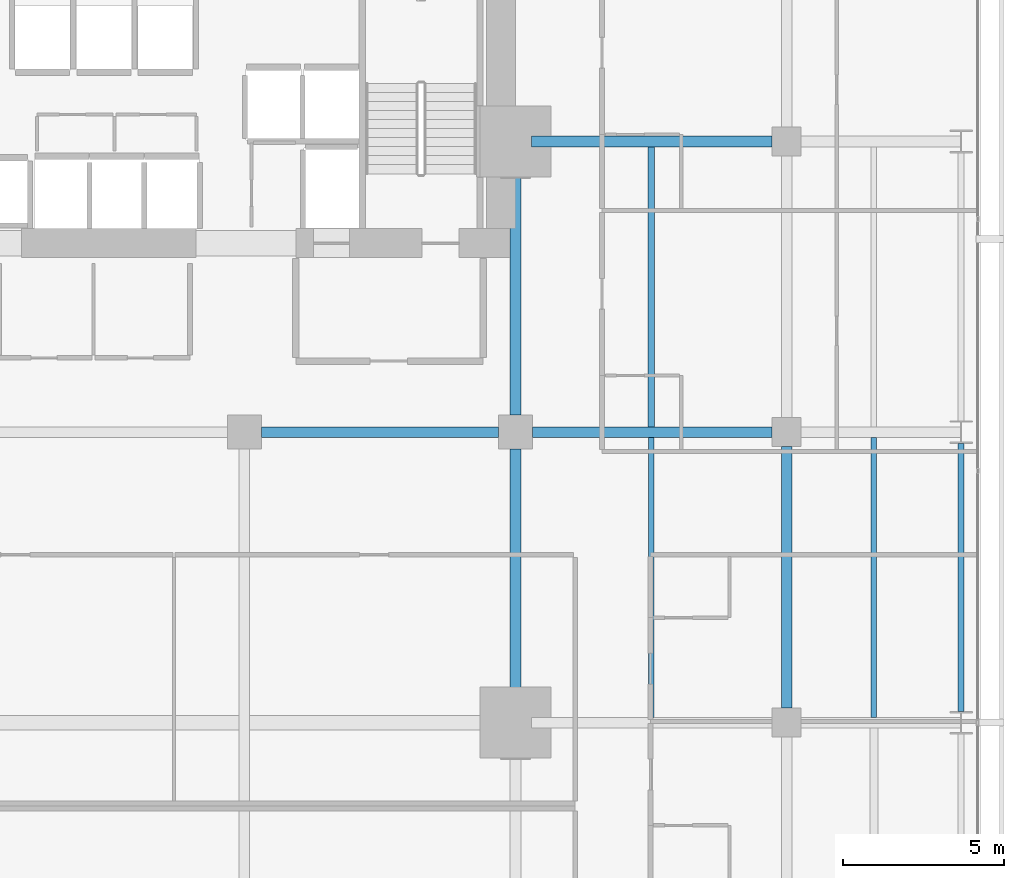
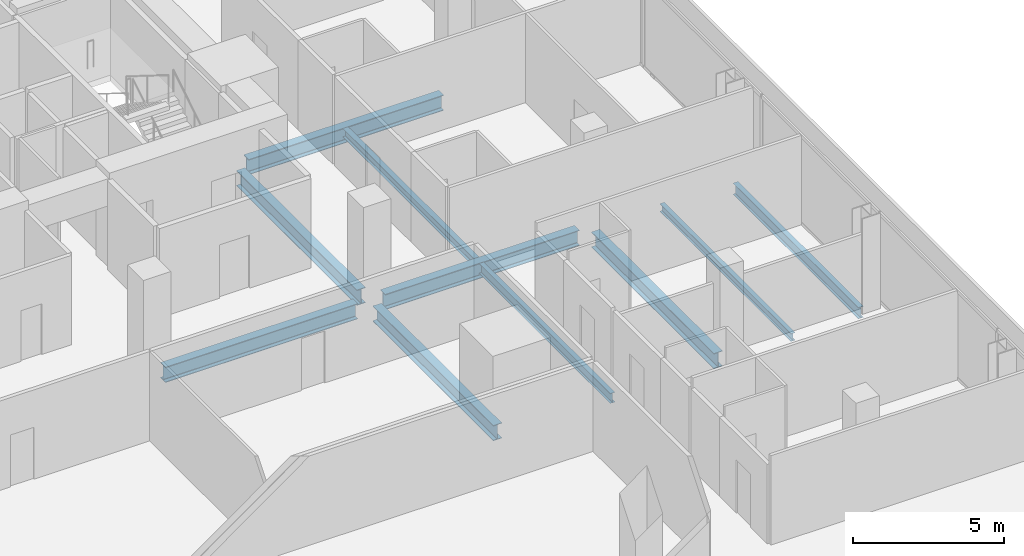
# One storey, part 27 of 40: 10 beams.
"""IFC4 building model written with IfcOpenShell, lengths in metres."""

from ifc_helpers import new_model, si_unit, direction, frame, origin, origin_2d, place, context, subcontext, project, spatial, i_section, extrude, material, material_profile, profile_set, type_object, element, save


model = new_model("IFC4")

# Units and contexts
model_context = context("Model", 3, precision=1e-05, world=origin(), true_north=direction((0.0, 1.0)))
body_context = subcontext(model_context, "Body", "Model", "MODEL_VIEW")
ifc_project = project(units=[si_unit("LENGTHUNIT", "METRE"), si_unit("AREAUNIT", "SQUARE_METRE"), si_unit("VOLUMEUNIT", "CUBIC_METRE"), si_unit("PLANEANGLEUNIT", "RADIAN"), si_unit("MASSUNIT", "GRAM", prefix="KILO")], contexts=[model_context])

# Site, building, storey
site_placement = place(None, origin())
site = spatial("IfcSite", under=ifc_project, at=site_placement, CompositionType="ELEMENT")
building_placement = place(site_placement, origin())
building = spatial("IfcBuilding", under=site, at=building_placement, Name="Maruvema Waterfront Hotel and Observation Tower", CompositionType="ELEMENT")
storey_placement = place(building_placement, frame((0.0, 0.0, 50.050048828125)))
storey = spatial("IfcBuildingStorey", under=building, at=storey_placement, Name="L11", CompositionType="ELEMENT", Elevation=50.050048828125)

# Beams
ifc_material_1 = material(Name="Steel ASTM A572 Grade 50", Category="steel")
ifc_material_profile_1 = material_profile(ifc_material_1, i_section(OverallWidth=0.18994140625, OverallDepth=0.45703125, WebThickness=0.009033203125, FlangeThickness=0.014404296875, FilletRadius=0.014892578125, at=origin_2d()), Name="W460x74.0")
ifc_profile_set_1 = profile_set([ifc_material_profile_1], Name="Steel ASTM A572 Grade 50")
beam_type_1 = type_object("IfcBeamType", Name="Perimeter Spandrel Beam W460x74.0", PredefinedType="SPANDREL", material=ifc_profile_set_1)
beam_1_placement = place(storey_placement, frame((64.199951171875, 27.35009765625, -0.468505859375), z_axis=(0.0, 1.0, 0.0), x_axis=(-1.0, 0.0, 0.0)))
element("IfcBeam", 1, at=beam_1_placement, inside=storey, type_object=beam_type_1, Name="L11 Floor Girder NS-35", PredefinedType="SPANDREL", context=body_context, shape_type="SweptSolid", body=[
    extrude(i_section(OverallWidth=0.18994140625, OverallDepth=0.45703125, WebThickness=0.009033203125, FlangeThickness=0.014404296875, FilletRadius=0.014892578125, at=origin_2d()), origin(), (0.0, 0.0, 1.0), 8.2998046875),
])
ifc_material_2 = material(Name="Steel ASTM A572 Grade 50", Category="steel")
ifc_material_profile_2 = material_profile(ifc_material_2, i_section(OverallWidth=0.326904296875, OverallDepth=0.6220703125, WebThickness=0.015380859375, FlangeThickness=0.0244140625, FilletRadius=0.01806640625, at=origin_2d()), Name="W610x195.0")
ifc_profile_set_2 = profile_set([ifc_material_profile_2], Name="Steel ASTM A572 Grade 50")
beam_type_2 = type_object("IfcBeamType", Name="Primary Floor Girder W610x195.0", PredefinedType="BEAM", material=ifc_profile_set_2)
beam_2_placement = place(storey_placement, frame((42.52490234375, 36.0, -0.551025390625), z_axis=(1.0, 0.0, 0.0), x_axis=(0.0, 1.0, 0.0)))
element("IfcBeam", 2, at=beam_2_placement, inside=storey, type_object=beam_type_2, Name="L11 Floor Girder EW-29", PredefinedType="BEAM", context=body_context, shape_type="SweptSolid", body=[
    extrude(i_section(OverallWidth=0.326904296875, OverallDepth=0.6220703125, WebThickness=0.015380859375, FlangeThickness=0.0244140625, FilletRadius=0.01806640625, at=origin_2d()), origin(), (0.0, 0.0, 1.0), 7.35009765625),
])
beam_3_placement = place(storey_placement, frame((50.925048828125, 36.0, -0.551025390625), z_axis=(1.0, 0.0, 0.0), x_axis=(0.0, 1.0, 0.0)))
element("IfcBeam", 3, at=beam_3_placement, inside=storey, type_object=beam_type_2, Name="L11 Floor Girder EW-30", PredefinedType="BEAM", context=body_context, shape_type="SweptSolid", body=[
    extrude(i_section(OverallWidth=0.326904296875, OverallDepth=0.6220703125, WebThickness=0.015380859375, FlangeThickness=0.0244140625, FilletRadius=0.01806640625, at=origin_2d()), origin(), (0.0, 0.0, 1.0), 7.425048828125),
])
beam_4_placement = place(storey_placement, frame((50.89990234375, 45.0, -0.551025390625), z_axis=(1.0, 0.0, 0.0), x_axis=(0.0, 1.0, 0.0)))
element("IfcBeam", 4, at=beam_4_placement, inside=storey, type_object=beam_type_2, Name="L11 Floor Girder EW-34", PredefinedType="BEAM", context=body_context, shape_type="SweptSolid", body=[
    extrude(i_section(OverallWidth=0.326904296875, OverallDepth=0.6220703125, WebThickness=0.015380859375, FlangeThickness=0.0244140625, FilletRadius=0.01806640625, at=origin_2d()), origin(), (0.0, 0.0, 1.0), 7.4501953125),
])
for number, where, z_axis, x_axis, name in (
    (5, (50.39990234375, 27.5, -0.551025390625), (0.0, 1.0, 0.0), (-1.0, 0.0, 0.0), "L11 Floor Girder NS-25"),
    (6, (50.39990234375, 36.52490234375, -0.551025390625), (0.0, 1.0, 0.0), (-1.0, 0.0, 0.0), "L11 Floor Girder NS-26"),
):
    element("IfcBeam", number, at=place(storey_placement, frame(where, z_axis=z_axis, x_axis=x_axis)), inside=storey, type_object=beam_type_2, Name=name, PredefinedType="BEAM", context=body_context, shape_type="SweptSolid", body=[
        extrude(i_section(OverallWidth=0.326904296875, OverallDepth=0.6220703125, WebThickness=0.015380859375, FlangeThickness=0.0244140625, FilletRadius=0.01806640625, at=origin_2d()), origin(), (0.0, 0.0, 1.0), 7.97509765625),
    ])
beam_5_placement = place(storey_placement, frame((58.800048828125, 27.449951171875, -0.551025390625), z_axis=(0.0, 1.0, 0.0), x_axis=(-1.0, 0.0, 0.0)))
element("IfcBeam", 7, at=beam_5_placement, inside=storey, type_object=beam_type_2, Name="L11 Floor Girder NS-30", PredefinedType="BEAM", context=body_context, shape_type="SweptSolid", body=[
    extrude(i_section(OverallWidth=0.326904296875, OverallDepth=0.6220703125, WebThickness=0.015380859375, FlangeThickness=0.0244140625, FilletRadius=0.01806640625, at=origin_2d()), origin(), (0.0, 0.0, 1.0), 8.10009765625),
])
ifc_material_3 = material(Name="Steel ASTM A572 Grade 50", Category="steel")
ifc_material_profile_3 = material_profile(ifc_material_3, i_section(OverallWidth=0.1669921875, OverallDepth=0.31689453125, WebThickness=0.007568359375, FlangeThickness=0.01318359375, FilletRadius=0.012939453125, at=origin_2d()), Name="W310x52.0")
ifc_profile_set_3 = profile_set([ifc_material_profile_3], Name="Steel ASTM A572 Grade 50")
beam_type_3 = type_object("IfcBeamType", Name="Secondary Floor Joist W310x52.0", PredefinedType="JOIST", material=ifc_profile_set_3)
beam_6_placement = place(storey_placement, frame((61.5, 27.16357421875, -0.3984375), z_axis=(0.0, 1.0, 0.0), x_axis=(-1.0, 0.0, 0.0)))
element("IfcBeam", 8, at=beam_6_placement, inside=storey, type_object=beam_type_3, Name="L11 Secondary Floor Joist JS-23", PredefinedType="JOIST", context=body_context, shape_type="SweptSolid", body=[
    extrude(i_section(OverallWidth=0.1669921875, OverallDepth=0.31689453125, WebThickness=0.007568359375, FlangeThickness=0.01318359375, FilletRadius=0.012939453125, at=origin_2d()), origin(), (0.0, 0.0, 1.0), 8.6728515625),
])
ifc_material_4 = material(Name="Steel ASTM A572 Grade 50", Category="steel")
ifc_material_profile_4 = material_profile(ifc_material_4, i_section(OverallWidth=0.202880859375, OverallDepth=0.346923828125, WebThickness=0.0078125, FlangeThickness=0.013427734375, FilletRadius=0.014892578125, at=origin_2d()), Name="W360x64.0")
ifc_profile_set_4 = profile_set([ifc_material_profile_4], Name="Steel ASTM A572 Grade 50")
beam_type_4 = type_object("IfcBeamType", Name="Secondary Floor Joist W360x64.0", PredefinedType="JOIST", material=ifc_profile_set_4)
beam_7_placement = place(storey_placement, frame((54.60009765625, 36.16357421875, -0.41357421875), z_axis=(0.0, 1.0, 0.0), x_axis=(-1.0, 0.0, 0.0)))
element("IfcBeam", 9, at=beam_7_placement, inside=storey, type_object=beam_type_4, Name="L11 Secondary Floor Joist JS-20", PredefinedType="JOIST", context=body_context, shape_type="SweptSolid", body=[
    extrude(i_section(OverallWidth=0.202880859375, OverallDepth=0.346923828125, WebThickness=0.0078125, FlangeThickness=0.013427734375, FilletRadius=0.014892578125, at=origin_2d()), origin(), (0.0, 0.0, 1.0), 8.6728515625),
])
ifc_material_5 = material(Name="Steel ASTM A572 Grade 50", Category="steel")
ifc_material_profile_5 = material_profile(ifc_material_5, i_section(OverallWidth=0.177001953125, OverallDepth=0.403076171875, WebThickness=0.007568359375, FlangeThickness=0.010986328125, FilletRadius=0.014892578125, at=origin_2d()), Name="W410x53.0")
ifc_profile_set_5 = profile_set([ifc_material_profile_5], Name="Steel ASTM A572 Grade 50")
beam_type_5 = type_object("IfcBeamType", Name="Secondary Floor Joist W410x53.0", PredefinedType="JOIST", material=ifc_profile_set_5)
beam_8_placement = place(storey_placement, frame((54.60009765625, 27.16357421875, -0.441650390625), z_axis=(0.0, 1.0, 0.0), x_axis=(-1.0, 0.0, 0.0)))
element("IfcBeam", 10, at=beam_8_placement, inside=storey, type_object=beam_type_5, Name="L11 Secondary Floor Joist JS-19", PredefinedType="JOIST", context=body_context, shape_type="SweptSolid", body=[
    extrude(i_section(OverallWidth=0.177001953125, OverallDepth=0.403076171875, WebThickness=0.007568359375, FlangeThickness=0.010986328125, FilletRadius=0.014892578125, at=origin_2d()), origin(), (0.0, 0.0, 1.0), 8.6728515625),
])

save(model, "model.ifc")
